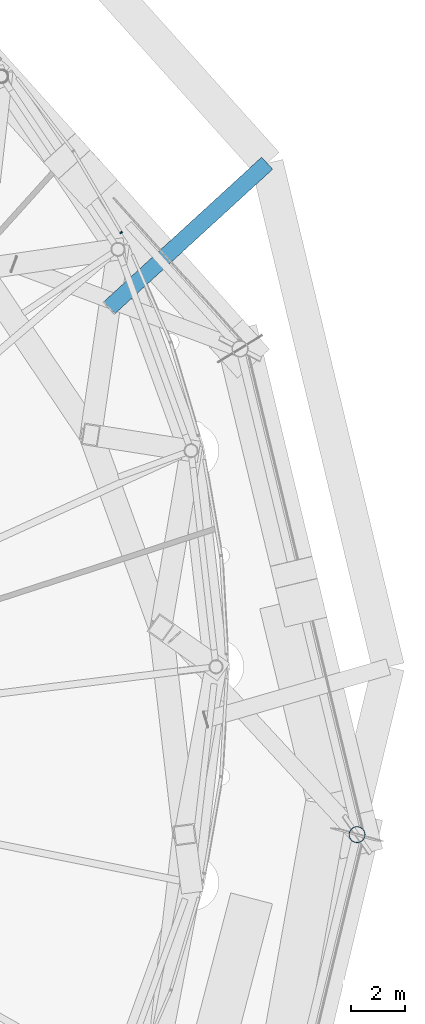
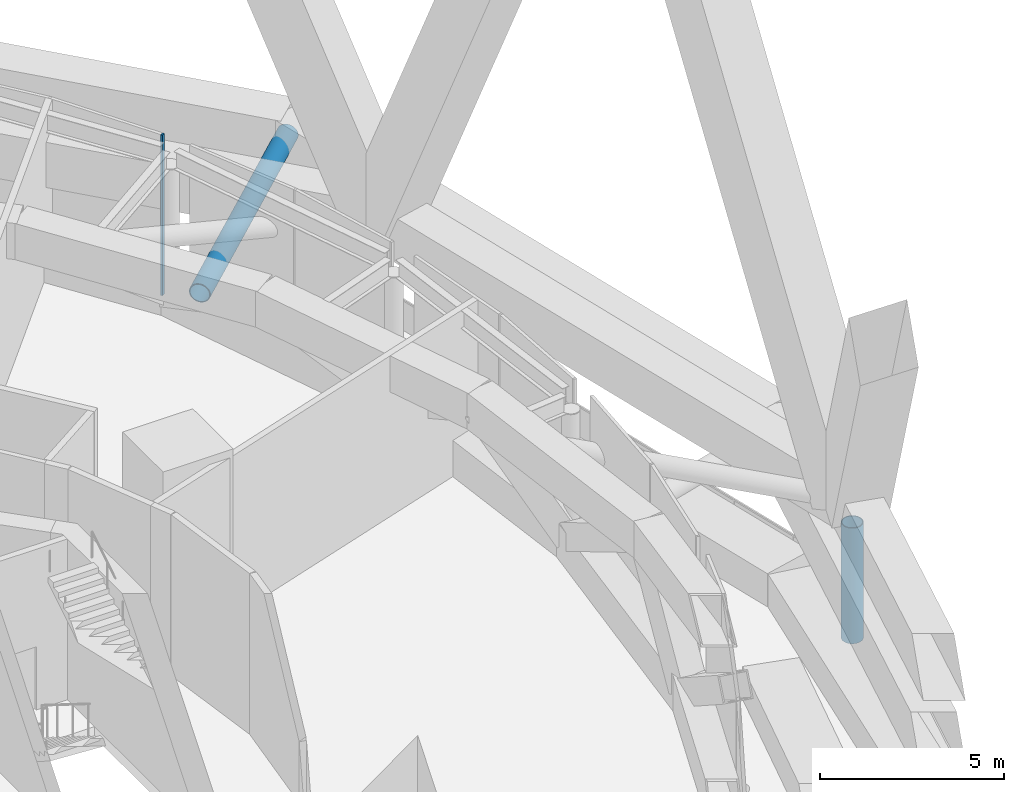
# One storey, part 38 of 65: 3 members, 1 element without a shape of its own.
"""IFC4 building model written with IfcOpenShell, lengths in metres."""

import ifcopenshell
import ifcopenshell.guid

model = None  # the IFC model being written
_history = None  # IfcOwnerHistory: only IFC2X3 demands one
_inside = {}  # id of a spatial element -> (the spatial element, [elements in it])
_under = {}  # id of a project, library or spatial element -> (it, [spatial elements below it])
_declared = {}  # id of a project -> (the project, [libraries it declares])
_typed = {}  # id of a type object -> (the type object, [elements of that type])
_made_of = {}  # id of a material, layer set ... -> (it, [elements and type objects made of it])


def new_model(schema):
    """Start an empty IFC model of exactly this schema.

    Asked for "IFC4X3", IfcOpenShell would pick the latest addendum, in which some entities
    have other attributes; the version numbers below select the first issue.
    IFC2X3 requires an IfcOwnerHistory on every rooted entity: one is made here for all.
    """
    global model, _history
    if schema == "IFC4X3":
        model = ifcopenshell.file(schema_version=(4, 3, 0, 0))
    else:
        model = ifcopenshell.file(schema=schema)
    _inside.clear()
    _under.clear()
    _declared.clear()
    _typed.clear()
    _made_of.clear()
    _history = None
    if model.schema == "IFC2X3":
        org = make("IfcOrganization", Name="unknown")
        user = make(
            "IfcPersonAndOrganization",
            ThePerson=make("IfcPerson", FamilyName="unknown"),
            TheOrganization=org,
        )
        app = make(
            "IfcApplication",
            ApplicationDeveloper=org,
            Version="unknown",
            ApplicationFullName="unknown",
            ApplicationIdentifier="unknown",
        )
        _history = make(
            "IfcOwnerHistory",
            OwningUser=user,
            OwningApplication=app,
            ChangeAction="ADDED",
            CreationDate=0,
        )
    return model


def make(cls, **values):
    """One entity of the class cls with the attributes given. An attribute that is None is left unset."""
    return model.create_entity(
        cls, **{name: value for name, value in values.items() if value is not None}
    )


def rooted(cls, **values):
    """An entity with a GlobalId (a new one), such as an element, a storey or a relation."""
    return make(cls, GlobalId=ifcopenshell.guid.new(), OwnerHistory=_history, **values)


def si_unit(unit_type, name, prefix=None):
    """IfcSIUnit, for example si_unit("LENGTHUNIT", "METRE", prefix="MILLI")."""
    return make("IfcSIUnit", UnitType=unit_type, Prefix=prefix, Name=name)


def assignment(units):
    """IfcUnitAssignment: the units of a project."""
    return None if units is None else make("IfcUnitAssignment", Units=units)


def point(xyz):
    """IfcCartesianPoint."""
    return None if xyz is None else make("IfcCartesianPoint", Coordinates=xyz)


def direction(xyz):
    """IfcDirection."""
    return None if xyz is None else make("IfcDirection", DirectionRatios=xyz)


def frame(location, z_axis=None, x_axis=None):
    """IfcAxis2Placement3D, a coordinate frame: its origin and axes. An axis left out is left unset."""
    return make(
        "IfcAxis2Placement3D",
        Location=point(location),
        Axis=direction(z_axis),
        RefDirection=direction(x_axis),
    )


def frame_2d(location, x_axis=None):
    """IfcAxis2Placement2D, a coordinate frame in the plane: its origin and x axis."""
    return make(
        "IfcAxis2Placement2D", Location=point(location), RefDirection=direction(x_axis)
    )


def origin():
    """The frame at (0, 0, 0) with its axes left unset."""
    return frame((0.0, 0.0, 0.0))


def origin_2d():
    """The frame at (0, 0) in the plane with its x axis left unset."""
    return frame_2d((0.0, 0.0))


def place(relative_to, where):
    """IfcLocalPlacement: puts the frame where relative to a parent placement (None: the world)."""
    return make(
        "IfcLocalPlacement", PlacementRelTo=relative_to, RelativePlacement=where
    )


def context(
    kind, dimensions, precision=None, world=None, true_north=None, identifier=None
):
    """IfcGeometricRepresentationContext, for example the 3D "Model" context."""
    return make(
        "IfcGeometricRepresentationContext",
        ContextIdentifier=identifier,
        ContextType=kind,
        CoordinateSpaceDimension=dimensions,
        Precision=precision,
        WorldCoordinateSystem=world,
        TrueNorth=true_north,
    )


def subcontext(parent, identifier, kind, view, scale=None):
    """IfcGeometricRepresentationSubContext, for example "Body" below "Model"."""
    return make(
        "IfcGeometricRepresentationSubContext",
        ContextIdentifier=identifier,
        ContextType=kind,
        ParentContext=parent,
        TargetScale=scale,
        TargetView=view,
    )


def project(units=None, contexts=None):
    """IfcProject with its units and contexts."""
    return rooted(
        "IfcProject",
        Name="project",
        RepresentationContexts=contexts,
        UnitsInContext=assignment(units),
    )


def spatial(cls, under=None, at=None, **own):
    """A site, building, storey or space (cls), placed at a placement, below another one or the project."""
    s = rooted(cls, ObjectPlacement=at, **own)
    if under is not None:
        _under.setdefault(under.id(), (under, []))[1].append(s)
    return s


def profile(cls, at=None, kind="AREA", **sizes):
    """A parametric profile (cls). Its sizes go by their IFC names, for example OverallWidth=200.0."""
    return make(cls, ProfileType=kind, Position=at, **sizes)


def rectangle(**sizes):
    """IfcRectangleProfileDef."""
    return profile("IfcRectangleProfileDef", **sizes)


def hollow_circle(**sizes):
    """IfcCircleHollowProfileDef."""
    return profile("IfcCircleHollowProfileDef", **sizes)


def extrude(swept, where, along, depth):
    """IfcExtrudedAreaSolid: the profile swept, set in the frame where, extruded along a direction by depth."""
    return make(
        "IfcExtrudedAreaSolid",
        SweptArea=swept,
        Position=where,
        ExtrudedDirection=direction(along),
        Depth=depth,
    )


def shape(context_of_items, identifier, shape_type, items):
    """IfcShapeRepresentation: the items that make up one representation, for example the "Body"."""
    return make(
        "IfcShapeRepresentation",
        ContextOfItems=context_of_items,
        RepresentationIdentifier=identifier,
        RepresentationType=shape_type,
        Items=items,
    )


def material(Name=None, Category=None):
    """IfcMaterial."""
    return make("IfcMaterial", Name=Name, Category=Category)


def layer(
    of_material, thickness, ventilated=None, Name=None, Category=None, Priority=None
):
    """IfcMaterialLayer: one layer of a wall or slab, of a material (None: an air gap)."""
    return make(
        "IfcMaterialLayer",
        Material=of_material,
        LayerThickness=thickness,
        IsVentilated=ventilated,
        Name=Name,
        Category=Category,
        Priority=Priority,
    )


def layer_set(layers, Name=None):
    """IfcMaterialLayerSet."""
    return make("IfcMaterialLayerSet", MaterialLayers=layers, LayerSetName=Name)


def material_profile(
    of_material, cross_section, Name=None, Category=None, Priority=None
):
    """IfcMaterialProfile: a cross section and its material."""
    return make(
        "IfcMaterialProfile",
        Name=Name,
        Material=of_material,
        Profile=cross_section,
        Priority=Priority,
        Category=Category,
    )


def profile_set(profiles, Name=None, composite=None):
    """IfcMaterialProfileSet."""
    return make(
        "IfcMaterialProfileSet",
        Name=Name,
        MaterialProfiles=profiles,
        CompositeProfile=composite,
    )


def made_of(thing, what):
    """Note that an element or type object is made of a material, layer set ...; save() writes the relation."""
    if what is not None:
        _made_of.setdefault(what.id(), (what, []))[1].append(thing)
    return thing


def type_object(cls, material=None, **own):
    """A type object (cls), such as IfcWallType, which elements share."""
    return made_of(rooted(cls, **own), material)


def element(
    cls,
    number,
    at=None,
    inside=None,
    cuts=None,
    type_object=None,
    material=None,
    context=None,
    identifier="Body",
    shape_type=None,
    held_by="IfcProductDefinitionShape",
    body=None,
    shapes=None,
    **own,
):
    """One element of the class cls, such as IfcWall. Its Tag is "e" and its number.

    at: its placement. inside: the storey or other place that contains it. cuts: it is an
    opening in that element (IfcRelVoidsElement). A single representation is given by context,
    identifier, shape_type and body (its items); several are given by shapes. held_by: the class
    of the entity that holds the representations. save() writes the other relations.
    """
    e = rooted(cls, Tag="e%d" % number, ObjectPlacement=at, **own)
    if body is not None:
        shapes = [shape(context, identifier, shape_type, body)]
    if shapes is not None:
        e.Representation = make(held_by, Representations=shapes)
    if inside is not None:
        _inside.setdefault(inside.id(), (inside, []))[1].append(e)
    if cuts is not None:
        rooted(
            "IfcRelVoidsElement", RelatingBuildingElement=cuts, RelatedOpeningElement=e
        )
    if type_object is not None:
        _typed.setdefault(type_object.id(), (type_object, []))[1].append(e)
    return made_of(e, material)


def aggregate(whole, parts):
    """IfcRelAggregates: a whole, such as a stair, and the parts it consists of."""
    return rooted("IfcRelAggregates", RelatingObject=whole, RelatedObjects=parts)


def save(model, path):
    """Write the relations noted so far, then the file.

    IfcRelAggregates (storeys below a building ...), IfcRelContainedInSpatialStructure (elements
    in a storey), IfcRelDefinesByType, IfcRelAssociatesMaterial and IfcRelDeclares: one each for
    every whole, place, type object, material and project.
    """
    for whole, parts in _under.values():
        aggregate(whole, parts)
    for where, things in _inside.values():
        rooted(
            "IfcRelContainedInSpatialStructure",
            RelatedElements=things,
            RelatingStructure=where,
        )
    for kind, things in _typed.values():
        rooted("IfcRelDefinesByType", RelatedObjects=things, RelatingType=kind)
    for what, things in _made_of.values():
        rooted("IfcRelAssociatesMaterial", RelatedObjects=things, RelatingMaterial=what)
    for by, libraries in _declared.values():
        rooted("IfcRelDeclares", RelatingContext=by, RelatedDefinitions=libraries)
    model.write(path)


model = new_model("IFC4")

# Units and contexts
model_context = context("Model", 3, precision=1e-05, world=origin(), true_north=direction((0.0, 1.0)))
body_context = subcontext(model_context, "Body", "Model", "MODEL_VIEW")
ifc_project = project(units=[si_unit("LENGTHUNIT", "METRE"), si_unit("AREAUNIT", "SQUARE_METRE"), si_unit("VOLUMEUNIT", "CUBIC_METRE"), si_unit("PLANEANGLEUNIT", "RADIAN"), si_unit("MASSUNIT", "GRAM", prefix="KILO")], contexts=[model_context])

# Site, building, storey
site_placement = place(None, origin())
site = spatial("IfcSite", under=ifc_project, at=site_placement, CompositionType="ELEMENT")
building_placement = place(site_placement, origin())
building = spatial("IfcBuilding", under=site, at=building_placement, Name="Nagisa Residences", CompositionType="ELEMENT")
storey_placement = place(building_placement, frame((0.0, 0.0, 114.0)))
storey = spatial("IfcBuildingStorey", under=building, at=storey_placement, Name="L28", CompositionType="ELEMENT", Elevation=114.0)

# Curtain wall, member
ifc_material_1 = material(Name="Aluminium curtain wall system", Category="aluminium")
ifc_layer = layer(ifc_material_1, 0.159912109375)
ifc_layer_set = layer_set([ifc_layer], Name="CW5 CURTAIN WALL")
curtain_wall_type = type_object("IfcCurtainWallType", Name="CW5 CURTAIN WALL", PredefinedType="NOTDEFINED", material=ifc_layer_set)
curtain_wall_placement = place(storey_placement, origin())
curtain_wall = element("IfcCurtainWall", 1, at=curtain_wall_placement, inside=storey, type_object=curtain_wall_type, Name="cw:CW5:L28:04", PredefinedType="NOTDEFINED")
ifc_material_2 = material(Name="Aluminium", Category="aluminium")
ifc_material_profile_1 = material_profile(ifc_material_2, rectangle(XDim=0.10009765625, YDim=0.06005859375, at=origin_2d()), Name="CW5 MULLION 100x60")
ifc_profile_set_1 = profile_set([ifc_material_profile_1], Name="Aluminium")
member_type_1 = type_object("IfcMemberType", Name="CW5 MULLION 100x60", PredefinedType="MULLION", material=ifc_profile_set_1)
member_1_placement = place(storey_placement, frame((21.87255859375, 19.24853515625, 0.0), z_axis=(0.0, 0.0, 1.0), x_axis=(-0.862328898214, -0.506348567002, 0.0)))
member_1 = element("IfcMember", 2, at=member_1_placement, type_object=member_type_1, Name="CW5 mullion", PredefinedType="MULLION", context=body_context, shape_type="SweptSolid", body=[
    extrude(rectangle(XDim=0.10009765625, YDim=0.06005859375, at=origin_2d()), origin(), (0.0, 0.0, 1.0), 5.340087890625),
])
aggregate(curtain_wall, [member_1])

# Members
ifc_material_3 = material(Name="Steel ASTM A572 Gr 65", Category="steel")
ifc_material_profile_2 = material_profile(ifc_material_3, hollow_circle(Radius=0.304931640625, WallThickness=0.02490234375, at=origin_2d()), Name="CHS 610x25")
ifc_profile_set_2 = profile_set([ifc_material_profile_2], Name="Steel ASTM A572 Gr 65")
member_type_2 = type_object("IfcMemberType", Name="Cage strut CHS 610x25", PredefinedType="STRUT", material=ifc_profile_set_2)
member_2_placement = place(storey_placement, frame((27.294189453125, 21.8251953125, 1.89990234375), z_axis=(-0.737451314409, -0.675400295289, 0.0), x_axis=(0.675400295289, -0.737451314409, 0.0)))
element("IfcMember", 3, at=member_2_placement, inside=storey, type_object=member_type_2, Name="mem:L28:bt2st2a02", PredefinedType="STRUT", context=body_context, shape_type="SweptSolid", body=[
    extrude(hollow_circle(Radius=0.304931640625, WallThickness=0.02490234375, at=origin_2d()), origin(), (0.0, 0.0, 1.0), 7.94384765625),
])
ifc_material_4 = material(Name="Steel ASTM A572 Gr 65", Category="steel")
ifc_material_profile_3 = material_profile(ifc_material_4, hollow_circle(Radius=0.304931640625, WallThickness=0.02490234375, at=origin_2d()), Name="CHS 610x25")
ifc_profile_set_3 = profile_set([ifc_material_profile_3], Name="Steel ASTM A572 Gr 65")
member_type_3 = type_object("IfcMemberType", Name="Deck hanger CHS 610x25", PredefinedType="POST", material=ifc_profile_set_3)
member_3_placement = place(storey_placement, frame((30.635009765625, -3.11767578125, 2.949951171875), z_axis=(0.0, 0.0, -1.0), x_axis=(1.0, 0.0, 0.0)))
element("IfcMember", 4, at=member_3_placement, inside=storey, type_object=member_type_3, Name="mem:L28:deckhanger01", PredefinedType="POST", context=body_context, shape_type="SweptSolid", body=[
    extrude(hollow_circle(Radius=0.304931640625, WallThickness=0.02490234375, at=origin_2d()), origin(), (0.0, 0.0, 1.0), 3.83984375),
])

save(model, "model.ifc")
